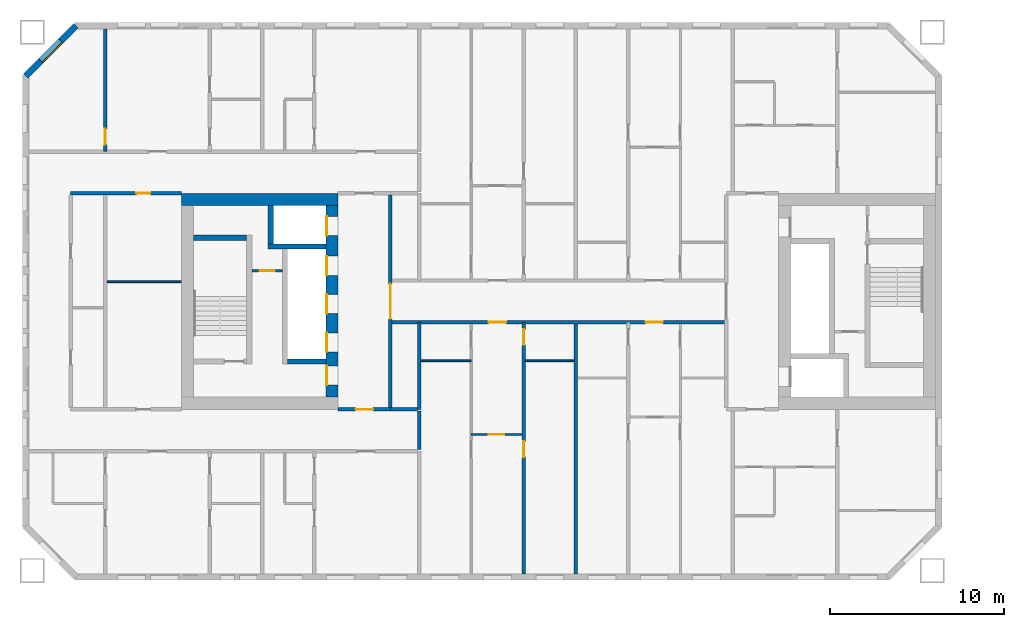
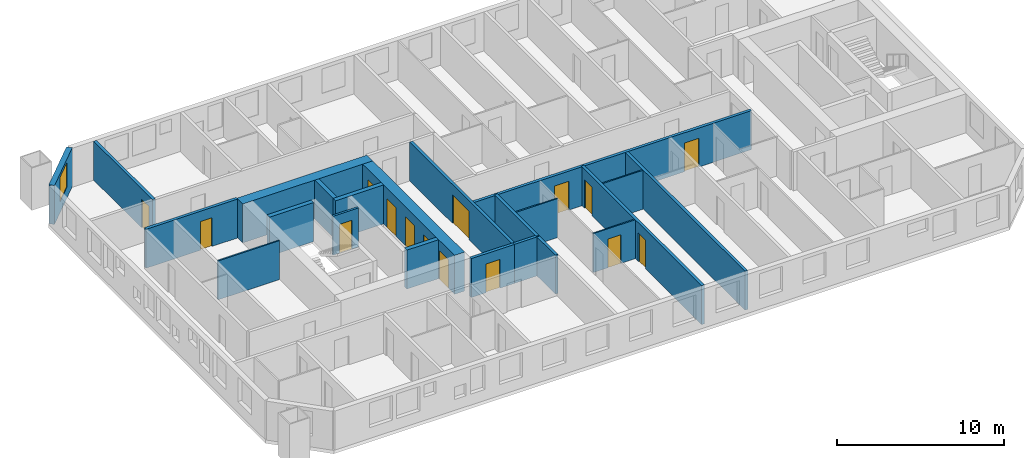
# One storey, part 4 of 17: 22 walls, 15 doors, 1 window, 16 openings.
"""IFC4 building model written with IfcOpenShell, lengths in metres."""

from ifc_helpers import new_model, si_unit, direction, frame, frame_2d, origin, place, context, subcontext, project, spatial, rectangle, extrude, material, layer, layer_set, type_object, element, fill, save


model = new_model("IFC4")

# Units and contexts
model_context = context("Model", 3, precision=1e-05, world=origin(), true_north=direction((0.0, 1.0)))
body_context = subcontext(model_context, "Body", "Model", "MODEL_VIEW")
ifc_project = project(units=[si_unit("LENGTHUNIT", "METRE"), si_unit("AREAUNIT", "SQUARE_METRE"), si_unit("VOLUMEUNIT", "CUBIC_METRE"), si_unit("PLANEANGLEUNIT", "RADIAN"), si_unit("MASSUNIT", "GRAM", prefix="KILO")], contexts=[model_context])

# Site, building, storey
site_placement = place(None, origin())
site = spatial("IfcSite", under=ifc_project, at=site_placement, CompositionType="ELEMENT")
building_placement = place(site_placement, origin())
building = spatial("IfcBuilding", under=site, at=building_placement, Name="Tuart Gate Housing", CompositionType="ELEMENT")
storey_placement = place(building_placement, frame((0.0, 0.0, 74.699951171875)))
storey = spatial("IfcBuildingStorey", under=building, at=storey_placement, Name="L20", CompositionType="ELEMENT", Elevation=74.699951171875)

# Wall, opening, window
ifc_material_1 = material(Name="Brick", Category="masonry")
ifc_layer_1 = layer(ifc_material_1, 0.360107421875)
ifc_layer_set_1 = layer_set([ifc_layer_1], Name="Brick pier and spandrel wall 360")
wall_type_1 = type_object("IfcWallType", Name="Brick pier and spandrel wall 360", PredefinedType="STANDARD", material=ifc_layer_set_1)
wall_1_placement = place(storey_placement, frame((26.32470703125, 85.820068359375, 0.0), z_axis=(0.0, 0.0, 1.0), x_axis=(-0.707106781187, -0.707106781187, 0.0)))
wall_1 = element("IfcWall", 1, at=wall_1_placement, inside=storey, type_object=wall_type_1, Name="External wall A-NW L20", PredefinedType="STANDARD", context=body_context, shape_type="SweptSolid", body=[
    extrude(rectangle(XDim=4.09375, YDim=0.360107421875, at=frame_2d((2.046875, 0.0))), origin(), (0.0, 0.0, 1.0), 2.85009765625),
])
opening_1_placement = place(wall_1_placement, frame((1.2470703125, 0.0, 0.800048828125)))
opening_1 = element("IfcOpeningElement", 2, at=opening_1_placement, cuts=wall_1, Name="Opening W1", PredefinedType="OPENING", context=body_context, shape_type="SweptSolid", body=[
    extrude(rectangle(XDim=1.60009765625, YDim=1.800048828125, at=frame_2d((0.800048828125, 0.89990234375))), frame((0.0, 0.18994140625, 0.0), z_axis=(0.0, -1.0, 0.0), x_axis=(1.0, 0.0, 0.0)), (0.0, 0.0, 1.0), 0.380126953125),
])
ifc_material_2 = material(Name="Aluminium frame with clear glass", Category="aluminium")
window_type = type_object("IfcWindowType", Name="Punched window 1600 x 1800", PartitioningType="SINGLE_PANEL", PredefinedType="WINDOW", material=ifc_material_2)
window_placement = place(opening_1_placement, origin())
window = element("IfcWindow", 3, at=window_placement, inside=storey, type_object=window_type, Name="Window W1", OverallHeight=1.800048828125, OverallWidth=1.60009765625, PartitioningType="SINGLE_PANEL", PredefinedType="WINDOW", context=body_context, shape_type="SweptSolid", body=[
    extrude(rectangle(XDim=1.60009765625, YDim=1.800048828125, at=frame_2d((0.800048828125, 0.89990234375))), frame((0.0, 0.150146484375, 0.0), z_axis=(0.0, -1.0, 0.0), x_axis=(1.0, 0.0, 0.0)), (0.0, 0.0, 1.0), 0.06005859375),
])
fill(opening_1, window)

# Wall, opening, door
ifc_material_3 = material(Name="Plasterboard partition")
ifc_layer_2 = layer(ifc_material_3, 0.14990234375)
ifc_layer_set_2 = layer_set([ifc_layer_2], Name="Core partition 150")
wall_type_2 = type_object("IfcWallType", Name="Core partition 150", PredefinedType="PARTITIONING", material=ifc_layer_set_2)
wall_2_placement = place(storey_placement, frame((38.159912109375, 71.75, 0.0), z_axis=(0.0, 0.0, 1.0), x_axis=(-1.0, 0.0, 0.0)))
wall_2 = element("IfcWall", 4, at=wall_2_placement, inside=storey, type_object=wall_type_2, Name="Core partition AK.3", PredefinedType="PARTITIONING", context=body_context, shape_type="SweptSolid", body=[
    extrude(rectangle(XDim=1.75, YDim=0.14990234375, at=frame_2d((0.875, 0.0))), origin(), (0.0, 0.0, 1.0), 2.85009765625),
])
opening_2_placement = place(wall_2_placement, frame((0.449951171875, 0.0, 0.0)))
opening_2 = element("IfcOpeningElement", 5, at=opening_2_placement, cuts=wall_2, Name="Opening D858", PredefinedType="OPENING", context=body_context, shape_type="SweptSolid", body=[
    extrude(rectangle(XDim=0.85009765625, YDim=2.10009765625, at=frame_2d((0.425048828125, 1.050048828125))), frame((0.0, 0.0849609375, 0.0), z_axis=(0.0, -1.0, 0.0), x_axis=(1.0, 0.0, 0.0)), (0.0, 0.0, 1.0), 0.169921875),
])
ifc_material_4 = material(Name="Steel fire door", Category="steel")
door_type_1 = type_object("IfcDoorType", Name="Riser door 850 x 2100 RH", OperationType="SINGLE_SWING_RIGHT", PredefinedType="DOOR", material=ifc_material_4)
door_1_placement = place(opening_2_placement, frame((0.85009765625, 0.0, 0.0), z_axis=(0.0, 0.0, 1.0), x_axis=(-1.0, 0.0, 0.0)))
door_1 = element("IfcDoor", 6, at=door_1_placement, inside=storey, type_object=door_type_1, Name="Service room door AK.E1", OperationType="SINGLE_SWING_RIGHT", OverallHeight=2.10009765625, OverallWidth=0.85009765625, PredefinedType="DOOR", context=body_context, shape_type="SweptSolid", body=[
    extrude(rectangle(XDim=0.85009765625, YDim=2.10009765625, at=frame_2d((0.425048828125, 1.050048828125))), frame((0.0, 0.025146484375, 0.0), z_axis=(0.0, -1.0, 0.0), x_axis=(1.0, 0.0, 0.0)), (0.0, 0.0, 1.0), 0.050048828125),
])
fill(opening_2, door_1)

# Walls
ifc_material_5 = material(Name="Concrete C50", Category="concrete")
ifc_layer_3 = layer(ifc_material_5, 0.300048828125)
ifc_layer_set_3 = layer_set([ifc_layer_3], Name="Core wall 300 C50")
wall_type_3 = type_object("IfcWallType", Name="Core wall 300 C50", PredefinedType="SHEAR", material=ifc_layer_set_3)
wall_3_placement = place(storey_placement, frame((36.110107421875, 73.64990234375, 0.0), z_axis=(0.0, 0.0, 1.0), x_axis=(-1.0, 0.0, 0.0)))
element("IfcWall", 7, at=wall_3_placement, inside=storey, type_object=wall_type_3, Name="Core wall AK.1", PredefinedType="SHEAR", context=body_context, shape_type="SweptSolid", body=[
    extrude(rectangle(XDim=3.050048828125, YDim=0.300048828125, at=frame_2d((1.52490234375, 0.0))), origin(), (0.0, 0.0, 1.0), 2.85009765625),
])
wall_4_placement = place(storey_placement, frame((40.659912109375, 73.14990234375, 0.0), z_axis=(0.0, 0.0, 1.0), x_axis=(-1.0, 0.0, 0.0)))
element("IfcWall", 8, at=wall_4_placement, inside=storey, type_object=wall_type_3, Name="Core wall AK.2", PredefinedType="SHEAR", context=body_context, shape_type="SweptSolid", body=[
    extrude(rectangle(XDim=3.31982421875, YDim=0.300048828125, at=frame_2d((1.659912109375, 0.0))), origin(), (0.0, 0.0, 1.0), 2.85009765625),
])
for number, where, z_axis, x_axis, name in (
    (9, (40.659912109375, 66.550048828125, 0.0), (0.0, 0.0, 1.0), (-1.0, 0.0, 0.0), "Core wall AK.4"),
    (10, (37.489990234375, 75.5, 0.0), (0.0, 0.0, 1.0), (0.0, -1.0, 0.0), "Core wall AK.7"),
):
    element("IfcWall", number, at=place(storey_placement, frame(where, z_axis=z_axis, x_axis=x_axis)), inside=storey, type_object=wall_type_3, Name=name, PredefinedType="SHEAR", context=body_context, shape_type="SweptSolid", body=[
        extrude(rectangle(XDim=2.199951171875, YDim=0.300048828125, at=frame_2d((1.10009765625, 0.0))), origin(), (0.0, 0.0, 1.0), 2.85009765625),
    ])

# Wall, openings, doors
ifc_material_6 = material(Name="Concrete C50", Category="concrete")
ifc_layer_4 = layer(ifc_material_6, 0.699951171875)
ifc_layer_set_4 = layer_set([ifc_layer_4], Name="Core wall 700 C50")
wall_type_4 = type_object("IfcWallType", Name="Core wall 700 C50", PredefinedType="SHEAR", material=ifc_layer_set_4)
wall_5_placement = place(storey_placement, frame((41.010009765625, 75.5, 0.0), z_axis=(0.0, 0.0, 1.0), x_axis=(0.0, -1.0, 0.0)))
wall_5 = element("IfcWall", 11, at=wall_5_placement, inside=storey, type_object=wall_type_4, Name="Core wall AK front", PredefinedType="SHEAR", context=body_context, shape_type="SweptSolid", body=[
    extrude(rectangle(XDim=11.0, YDim=0.699951171875, at=frame_2d((5.5, 0.0))), origin(), (0.0, 0.0, 1.0), 2.85009765625),
])
opening_3_placement = place(wall_5_placement, frame((0.625, 0.0, 0.0)))
opening_3 = element("IfcOpeningElement", 12, at=opening_3_placement, cuts=wall_5, Name="Opening LD-FA2", PredefinedType="OPENING", context=body_context, shape_type="SweptSolid", body=[
    extrude(rectangle(XDim=1.10009765625, YDim=2.10009765625, at=frame_2d((0.550048828125, 1.050048828125))), frame((0.0, 0.35986328125, 0.0), z_axis=(0.0, -1.0, 0.0), x_axis=(1.0, 0.0, 0.0)), (0.0, 0.0, 1.0), 0.719970703125),
])
opening_4_placement = place(wall_5_placement, frame((2.89990234375, 0.0, 0.0)))
opening_4 = element("IfcOpeningElement", 13, at=opening_4_placement, cuts=wall_5, Name="Opening LD-LA4", PredefinedType="OPENING", context=body_context, shape_type="SweptSolid", body=[
    extrude(rectangle(XDim=1.10009765625, YDim=2.10009765625, at=frame_2d((0.550048828125, 1.050048828125))), frame((0.0, 0.35986328125, 0.0), z_axis=(0.0, -1.0, 0.0), x_axis=(1.0, 0.0, 0.0)), (0.0, 0.0, 1.0), 0.719970703125),
])
opening_5_placement = place(wall_5_placement, frame((5.10009765625, 0.0, 0.0)))
opening_5 = element("IfcOpeningElement", 14, at=opening_5_placement, cuts=wall_5, Name="Opening LD-LA5", PredefinedType="OPENING", context=body_context, shape_type="SweptSolid", body=[
    extrude(rectangle(XDim=1.10009765625, YDim=2.10009765625, at=frame_2d((0.550048828125, 1.050048828125))), frame((0.0, 0.35986328125, 0.0), z_axis=(0.0, -1.0, 0.0), x_axis=(1.0, 0.0, 0.0)), (0.0, 0.0, 1.0), 0.719970703125),
])
opening_6_placement = place(wall_5_placement, frame((7.300048828125, 0.0, 0.0)))
opening_6 = element("IfcOpeningElement", 15, at=opening_6_placement, cuts=wall_5, Name="Opening LD-LA6", PredefinedType="OPENING", context=body_context, shape_type="SweptSolid", body=[
    extrude(rectangle(XDim=1.10009765625, YDim=2.10009765625, at=frame_2d((0.550048828125, 1.050048828125))), frame((0.0, 0.35986328125, 0.0), z_axis=(0.0, -1.0, 0.0), x_axis=(1.0, 0.0, 0.0)), (0.0, 0.0, 1.0), 0.719970703125),
])
opening_7_placement = place(wall_5_placement, frame((9.199951171875, 0.0, 0.0)))
opening_7 = element("IfcOpeningElement", 16, at=opening_7_placement, cuts=wall_5, Name="Opening D863", PredefinedType="OPENING", context=body_context, shape_type="SweptSolid", body=[
    extrude(rectangle(XDim=1.10009765625, YDim=2.10009765625, at=frame_2d((0.550048828125, 1.050048828125))), frame((0.0, 0.35986328125, 0.0), z_axis=(0.0, -1.0, 0.0), x_axis=(1.0, 0.0, 0.0)), (0.0, 0.0, 1.0), 0.719970703125),
])
ifc_material_7 = material(Name="Stainless steel", Category="steel")
door_type_2 = type_object("IfcDoorType", Name="Landing door 1100 x 2100", OperationType="DOUBLE_DOOR_SLIDING", PredefinedType="DOOR", material=ifc_material_7)
door_2_placement = place(opening_3_placement, origin())
door_2 = element("IfcDoor", 17, at=door_2_placement, inside=storey, type_object=door_type_2, Name="Lift landing door FA2", OperationType="DOUBLE_DOOR_SLIDING", OverallHeight=2.10009765625, OverallWidth=1.10009765625, PredefinedType="DOOR", context=body_context, shape_type="SweptSolid", body=[
    extrude(rectangle(XDim=1.10009765625, YDim=2.10009765625, at=frame_2d((0.550048828125, 1.050048828125))), frame((0.0, -0.28515625, 0.0), z_axis=(0.0, -1.0, 0.0), x_axis=(1.0, 0.0, 0.0)), (0.0, 0.0, 1.0), 0.050048828125),
])
fill(opening_3, door_2)
door_3_placement = place(opening_4_placement, origin())
door_3 = element("IfcDoor", 18, at=door_3_placement, inside=storey, type_object=door_type_2, Name="Lift landing door LA4", OperationType="DOUBLE_DOOR_SLIDING", OverallHeight=2.10009765625, OverallWidth=1.10009765625, PredefinedType="DOOR", context=body_context, shape_type="SweptSolid", body=[
    extrude(rectangle(XDim=1.10009765625, YDim=2.10009765625, at=frame_2d((0.550048828125, 1.050048828125))), frame((0.0, -0.28515625, 0.0), z_axis=(0.0, -1.0, 0.0), x_axis=(1.0, 0.0, 0.0)), (0.0, 0.0, 1.0), 0.050048828125),
])
fill(opening_4, door_3)
door_4_placement = place(opening_5_placement, origin())
door_4 = element("IfcDoor", 19, at=door_4_placement, inside=storey, type_object=door_type_2, Name="Lift landing door LA5", OperationType="DOUBLE_DOOR_SLIDING", OverallHeight=2.10009765625, OverallWidth=1.10009765625, PredefinedType="DOOR", context=body_context, shape_type="SweptSolid", body=[
    extrude(rectangle(XDim=1.10009765625, YDim=2.10009765625, at=frame_2d((0.550048828125, 1.050048828125))), frame((0.0, -0.28515625, 0.0), z_axis=(0.0, -1.0, 0.0), x_axis=(1.0, 0.0, 0.0)), (0.0, 0.0, 1.0), 0.050048828125),
])
fill(opening_5, door_4)
door_5_placement = place(opening_6_placement, origin())
door_5 = element("IfcDoor", 20, at=door_5_placement, inside=storey, type_object=door_type_2, Name="Lift landing door LA6", OperationType="DOUBLE_DOOR_SLIDING", OverallHeight=2.10009765625, OverallWidth=1.10009765625, PredefinedType="DOOR", context=body_context, shape_type="SweptSolid", body=[
    extrude(rectangle(XDim=1.10009765625, YDim=2.10009765625, at=frame_2d((0.550048828125, 1.050048828125))), frame((0.0, -0.28515625, 0.0), z_axis=(0.0, -1.0, 0.0), x_axis=(1.0, 0.0, 0.0)), (0.0, 0.0, 1.0), 0.050048828125),
])
fill(opening_6, door_5)
ifc_material_8 = material(Name="Steel fire door", Category="steel")
door_type_3 = type_object("IfcDoorType", Name="Lobby door 1100 x 2100 RH", OperationType="SINGLE_SWING_RIGHT", PredefinedType="DOOR", material=ifc_material_8)
door_6_placement = place(opening_7_placement, frame((1.10009765625, 0.0, 0.0), z_axis=(0.0, 0.0, 1.0), x_axis=(-1.0, 0.0, 0.0)))
door_6 = element("IfcDoor", 21, at=door_6_placement, inside=storey, type_object=door_type_3, Name="Lobby entry door AK.EN", OperationType="SINGLE_SWING_RIGHT", OverallHeight=2.10009765625, OverallWidth=1.10009765625, PredefinedType="DOOR", context=body_context, shape_type="SweptSolid", body=[
    extrude(rectangle(XDim=1.10009765625, YDim=2.10009765625, at=frame_2d((0.550048828125, 1.050048828125))), frame((0.0, 0.335205078125, 0.0), z_axis=(0.0, -1.0, 0.0), x_axis=(1.0, 0.0, 0.0)), (0.0, 0.0, 1.0), 0.050048828125),
])
fill(opening_7, door_6)

# Walls
wall_6_placement = place(storey_placement, frame((41.360107421875, 75.85009765625, 0.0), z_axis=(0.0, 0.0, 1.0), x_axis=(-1.0, 0.0, 0.0)))
element("IfcWall", 22, at=wall_6_placement, inside=storey, type_object=wall_type_4, Name="Core wall AK south", PredefinedType="SHEAR", context=body_context, shape_type="SweptSolid", body=[
    extrude(rectangle(XDim=9.0, YDim=0.699951171875, at=frame_2d((4.5, 0.0))), origin(), (0.0, 0.0, 1.0), 2.85009765625),
])
ifc_material_9 = material(Name="Concrete masonry 15 MPa", Category="masonry")
ifc_layer_5 = layer(ifc_material_9, 0.199951171875)
ifc_layer_set_5 = layer_set([ifc_layer_5], Name="Corridor wall masonry 200")
wall_type_5 = type_object("IfcWallType", Name="Corridor wall masonry 200", PredefinedType="PARTITIONING", material=ifc_layer_set_5)
wall_7_placement = place(storey_placement, frame((44.360107421875, 63.800048828125, 0.0), z_axis=(0.0, 0.0, 1.0), x_axis=(1.0, 0.0, 0.0)))
element("IfcWall", 23, at=wall_7_placement, inside=storey, type_object=wall_type_5, Name="Corridor wall masonry 200", PredefinedType="PARTITIONING", context=body_context, shape_type="SweptSolid", body=[
    extrude(rectangle(XDim=1.539794921875, YDim=0.199951171875, at=frame_2d((0.77001953125, 0.0))), origin(), (0.0, 0.0, 1.0), 2.85009765625),
])

# Wall, openings, doors
wall_8_placement = place(storey_placement, frame((44.360107421875, 68.800048828125, 0.0), z_axis=(0.0, 0.0, 1.0), x_axis=(1.0, 0.0, 0.0)))
wall_8 = element("IfcWall", 24, at=wall_8_placement, inside=storey, type_object=wall_type_5, Name="Corridor wall masonry 200", PredefinedType="PARTITIONING", context=body_context, shape_type="SweptSolid", body=[
    extrude(rectangle(XDim=19.27978515625, YDim=0.199951171875, at=frame_2d((9.639892578125, 0.0))), origin(), (0.0, 0.0, 1.0), 2.85009765625),
])
opening_8_placement = place(wall_8_placement, frame((14.639892578125, 0.0, 0.0)))
opening_8 = element("IfcOpeningElement", 25, at=opening_8_placement, cuts=wall_8, Name="Opening D868", PredefinedType="OPENING", context=body_context, shape_type="SweptSolid", body=[
    extrude(rectangle(XDim=1.0, YDim=2.10009765625, at=frame_2d((0.5, 1.050048828125))), frame((0.0, 0.10986328125, 0.0), z_axis=(0.0, -1.0, 0.0), x_axis=(1.0, 0.0, 0.0)), (0.0, 0.0, 1.0), 0.219970703125),
])
opening_9_placement = place(wall_8_placement, frame((5.639892578125, 0.0, 0.0)))
opening_9 = element("IfcOpeningElement", 26, at=opening_9_placement, cuts=wall_8, Name="Opening D869", PredefinedType="OPENING", context=body_context, shape_type="SweptSolid", body=[
    extrude(rectangle(XDim=1.0, YDim=2.10009765625, at=frame_2d((0.5, 1.050048828125))), frame((0.0, 0.10986328125, 0.0), z_axis=(0.0, -1.0, 0.0), x_axis=(1.0, 0.0, 0.0)), (0.0, 0.0, 1.0), 0.219970703125),
])
ifc_material_10 = material(Name="Timber door leaf in steel frame", Category="steel")
door_type_4 = type_object("IfcDoorType", Name="Flat entrance door 1000 RH", OperationType="SINGLE_SWING_RIGHT", PredefinedType="DOOR", material=ifc_material_10)
door_7_placement = place(opening_8_placement, frame((1.0, 0.0, 0.0), z_axis=(0.0, 0.0, 1.0), x_axis=(-1.0, 0.0, 0.0)))
door_7 = element("IfcDoor", 27, at=door_7_placement, inside=storey, type_object=door_type_4, Name="Flat entrance door", OperationType="SINGLE_SWING_RIGHT", OverallHeight=2.10009765625, OverallWidth=1.0, PredefinedType="DOOR", context=body_context, shape_type="SweptSolid", body=[
    extrude(rectangle(XDim=1.0, YDim=2.10009765625, at=frame_2d((0.5, 1.050048828125))), frame((0.0, 0.025146484375, 0.0), z_axis=(0.0, -1.0, 0.0), x_axis=(1.0, 0.0, 0.0)), (0.0, 0.0, 1.0), 0.050048828125),
])
fill(opening_8, door_7)
door_8_placement = place(opening_9_placement, frame((1.0, 0.0, 0.0), z_axis=(0.0, 0.0, 1.0), x_axis=(-1.0, 0.0, 0.0)))
door_8 = element("IfcDoor", 28, at=door_8_placement, inside=storey, type_object=door_type_4, Name="Flat entrance door", OperationType="SINGLE_SWING_RIGHT", OverallHeight=2.10009765625, OverallWidth=1.0, PredefinedType="DOOR", context=body_context, shape_type="SweptSolid", body=[
    extrude(rectangle(XDim=1.0, YDim=2.10009765625, at=frame_2d((0.5, 1.050048828125))), frame((0.0, 0.025146484375, 0.0), z_axis=(0.0, -1.0, 0.0), x_axis=(1.0, 0.0, 0.0)), (0.0, 0.0, 1.0), 0.050048828125),
])
fill(opening_9, door_8)

# Wall, opening, door
wall_9_placement = place(storey_placement, frame((26.010009765625, 76.199951171875, 0.0), z_axis=(0.0, 0.0, 1.0), x_axis=(1.0, 0.0, 0.0)))
wall_9 = element("IfcWall", 29, at=wall_9_placement, inside=storey, type_object=wall_type_5, Name="Corridor wall masonry 200", PredefinedType="PARTITIONING", context=body_context, shape_type="SweptSolid", body=[
    extrude(rectangle(XDim=6.35009765625, YDim=0.199951171875, at=frame_2d((3.175048828125, 0.0))), origin(), (0.0, 0.0, 1.0), 2.85009765625),
])
opening_10_placement = place(wall_9_placement, frame((3.77001953125, 0.0, 0.0)))
opening_10 = element("IfcOpeningElement", 30, at=opening_10_placement, cuts=wall_9, Name="Opening D854", PredefinedType="OPENING", context=body_context, shape_type="SweptSolid", body=[
    extrude(rectangle(XDim=0.800048828125, YDim=2.10009765625, at=frame_2d((0.39990234375, 1.050048828125))), frame((0.0, 0.10986328125, 0.0), z_axis=(0.0, -1.0, 0.0), x_axis=(1.0, 0.0, 0.0)), (0.0, 0.0, 1.0), 0.219970703125),
])
ifc_material_11 = material(Name="Timber door leaf in steel frame", Category="steel")
door_type_5 = type_object("IfcDoorType", Name="Store door 800 RH", OperationType="SINGLE_SWING_RIGHT", PredefinedType="DOOR", material=ifc_material_11)
door_9_placement = place(opening_10_placement, frame((0.800048828125, 0.0, 0.0), z_axis=(0.0, 0.0, 1.0), x_axis=(-1.0, 0.0, 0.0)))
door_9 = element("IfcDoor", 31, at=door_9_placement, inside=storey, type_object=door_type_5, Name="Store door", OperationType="SINGLE_SWING_RIGHT", OverallHeight=2.10009765625, OverallWidth=0.800048828125, PredefinedType="DOOR", context=body_context, shape_type="SweptSolid", body=[
    extrude(rectangle(XDim=0.800048828125, YDim=2.10009765625, at=frame_2d((0.400146484375, 1.050048828125))), frame((0.0, 0.025146484375, 0.0), z_axis=(0.0, -1.0, 0.0), x_axis=(1.0, 0.0, 0.0)), (0.0, 0.0, 1.0), 0.050048828125),
])
fill(opening_10, door_9)

# Wall
wall_10_placement = place(storey_placement, frame((46.0, 61.5, 0.0), z_axis=(0.0, 0.0, 1.0), x_axis=(0.0, 1.0, 0.0)))
element("IfcWall", 32, at=wall_10_placement, inside=storey, type_object=wall_type_5, Name="Corridor wall masonry 200", PredefinedType="PARTITIONING", context=body_context, shape_type="SweptSolid", body=[
    extrude(rectangle(XDim=2.199951171875, YDim=0.199951171875, at=frame_2d((1.10009765625, 0.0))), origin(), (0.0, 0.0, 1.0), 2.85009765625),
])

# Wall, opening, door
ifc_material_12 = material(Name="Concrete masonry 15 MPa", Category="masonry")
ifc_layer_6 = layer(ifc_material_12, 0.199951171875)
ifc_layer_set_6 = layer_set([ifc_layer_6], Name="Enclosure wall masonry 200")
wall_type_6 = type_object("IfcWallType", Name="Enclosure wall masonry 200", PredefinedType="PARTITIONING", material=ifc_layer_set_6)
wall_11_placement = place(storey_placement, frame((41.360107421875, 63.800048828125, 0.0), z_axis=(0.0, 0.0, 1.0), x_axis=(1.0, 0.0, 0.0)))
wall_11 = element("IfcWall", 33, at=wall_11_placement, inside=storey, type_object=wall_type_6, Name="Enclosure wall masonry 200", PredefinedType="PARTITIONING", context=body_context, shape_type="SweptSolid", body=[
    extrude(rectangle(XDim=3.0, YDim=0.199951171875, at=frame_2d((1.5, 0.0))), origin(), (0.0, 0.0, 1.0), 2.85009765625),
])
opening_11_placement = place(wall_11_placement, frame((1.0, 0.0, 0.0)))
opening_11 = element("IfcOpeningElement", 34, at=opening_11_placement, cuts=wall_11, Name="Opening D873", PredefinedType="OPENING", context=body_context, shape_type="SweptSolid", body=[
    extrude(rectangle(XDim=1.0, YDim=2.10009765625, at=frame_2d((0.5, 1.050048828125))), frame((0.0, 0.10986328125, 0.0), z_axis=(0.0, -1.0, 0.0), x_axis=(1.0, 0.0, 0.0)), (0.0, 0.0, 1.0), 0.219970703125),
])
ifc_material_13 = material(Name="Timber door leaf in steel frame", Category="steel")
door_type_6 = type_object("IfcDoorType", Name="Fire door 1000", OperationType="SINGLE_SWING_LEFT", PredefinedType="DOOR", material=ifc_material_13)
door_10_placement = place(opening_11_placement, frame((1.0, 0.0, 0.0), z_axis=(0.0, 0.0, 1.0), x_axis=(-1.0, 0.0, 0.0)))
door_10 = element("IfcDoor", 35, at=door_10_placement, inside=storey, type_object=door_type_6, Name="Fire door", OperationType="SINGLE_SWING_LEFT", OverallHeight=2.10009765625, OverallWidth=1.0, PredefinedType="DOOR", context=body_context, shape_type="SweptSolid", body=[
    extrude(rectangle(XDim=1.0, YDim=2.10009765625, at=frame_2d((0.5, 1.050048828125))), frame((0.0, 0.025146484375, 0.0), z_axis=(0.0, -1.0, 0.0), x_axis=(1.0, 0.0, 0.0)), (0.0, 0.0, 1.0), 0.050048828125),
])
fill(opening_11, door_10)

ifc_material_14 = material(Name="Plasterboard partition")
ifc_layer_7 = layer(ifc_material_14, 0.199951171875)
ifc_layer_set_7 = layer_set([ifc_layer_7], Name="Lobby wall 200")
wall_type_7 = type_object("IfcWallType", Name="Lobby wall 200", PredefinedType="PARTITIONING", material=ifc_layer_set_7)
wall_12_placement = place(storey_placement, frame((44.360107421875, 63.89990234375, 0.0), z_axis=(0.0, 0.0, 1.0), x_axis=(0.0, 1.0, 0.0)))
wall_12 = element("IfcWall", 36, at=wall_12_placement, inside=storey, type_object=wall_type_7, Name="Lift lobby wall AK", PredefinedType="PARTITIONING", context=body_context, shape_type="SweptSolid", body=[
    extrude(rectangle(XDim=12.2001953125, YDim=0.199951171875, at=frame_2d((6.10009765625, 0.0))), origin(), (0.0, 0.0, 1.0), 2.85009765625),
])
opening_12_placement = place(wall_12_placement, frame((5.10009765625, 0.0, 0.0)))
opening_12 = element("IfcOpeningElement", 37, at=opening_12_placement, cuts=wall_12, Name="Opening D864", PredefinedType="OPENING", context=body_context, shape_type="SweptSolid", body=[
    extrude(rectangle(XDim=2.0, YDim=2.10009765625, at=frame_2d((1.0, 1.050048828125))), frame((0.0, 0.10986328125, 0.0), z_axis=(0.0, -1.0, 0.0), x_axis=(1.0, 0.0, 0.0)), (0.0, 0.0, 1.0), 0.219970703125),
])
ifc_material_15 = material(Name="Steel fire door", Category="steel")
door_type_7 = type_object("IfcDoorType", Name="Smoke door 2000 x 2100", OperationType="DOUBLE_DOOR_SINGLE_SWING", PredefinedType="DOOR", material=ifc_material_15)
door_11_placement = place(opening_12_placement, origin())
door_11 = element("IfcDoor", 38, at=door_11_placement, inside=storey, type_object=door_type_7, Name="Lift lobby smoke door AK", OperationType="DOUBLE_DOOR_SINGLE_SWING", OverallHeight=2.10009765625, OverallWidth=2.0, PredefinedType="DOOR", context=body_context, shape_type="SweptSolid", body=[
    extrude(rectangle(XDim=2.0, YDim=2.10009765625, at=frame_2d((1.0, 1.050048828125))), frame((0.0, 0.02490234375, 0.0), z_axis=(0.0, -1.0, 0.0), x_axis=(1.0, 0.0, 0.0)), (0.0, 0.0, 1.0), 0.050048828125),
])
fill(opening_12, door_11)

ifc_material_16 = material(Name="Gypsum board on steel studs", Category="steel")
ifc_layer_8 = layer(ifc_material_16, 0.10009765625)
ifc_layer_set_8 = layer_set([ifc_layer_8], Name="Partition 100")
wall_type_8 = type_object("IfcWallType", Name="Partition 100", PredefinedType="PARTITIONING", material=ifc_layer_set_8)
wall_13_placement = place(storey_placement, frame((49.0, 62.360107421875, 0.0), z_axis=(0.0, 0.0, 1.0), x_axis=(1.0, 0.0, 0.0)))
wall_13 = element("IfcWall", 39, at=wall_13_placement, inside=storey, type_object=wall_type_8, Name="Partition 100", PredefinedType="PARTITIONING", context=body_context, shape_type="SweptSolid", body=[
    extrude(rectangle(XDim=2.89990234375, YDim=0.10009765625, at=frame_2d((1.449951171875, 0.0))), origin(), (0.0, 0.0, 1.0), 2.85009765625),
])
opening_13_placement = place(wall_13_placement, frame((1.0, 0.0, 0.0)))
opening_13 = element("IfcOpeningElement", 40, at=opening_13_placement, cuts=wall_13, Name="Opening D876", PredefinedType="OPENING", context=body_context, shape_type="SweptSolid", body=[
    extrude(rectangle(XDim=0.89990234375, YDim=2.10009765625, at=frame_2d((0.449951171875, 1.050048828125))), frame((0.0, 0.06005859375, 0.0), z_axis=(0.0, -1.0, 0.0), x_axis=(1.0, 0.0, 0.0)), (0.0, 0.0, 1.0), 0.1201171875),
])
ifc_material_17 = material(Name="Timber door leaf in steel frame", Category="steel")
door_type_8 = type_object("IfcDoorType", Name="Internal door 900", OperationType="SINGLE_SWING_LEFT", PredefinedType="DOOR", material=ifc_material_17)
door_12_placement = place(opening_13_placement, origin())
door_12 = element("IfcDoor", 41, at=door_12_placement, inside=storey, type_object=door_type_8, Name="Internal door", OperationType="SINGLE_SWING_LEFT", OverallHeight=2.10009765625, OverallWidth=0.89990234375, PredefinedType="DOOR", context=body_context, shape_type="SweptSolid", body=[
    extrude(rectangle(XDim=0.89990234375, YDim=2.10009765625, at=frame_2d((0.449951171875, 1.050048828125))), frame((0.0, 0.02490234375, 0.0), z_axis=(0.0, -1.0, 0.0), x_axis=(1.0, 0.0, 0.0)), (0.0, 0.0, 1.0), 0.050048828125),
])
fill(opening_13, door_12)

# Walls
wall_14_placement = place(storey_placement, frame((46.10009765625, 66.60009765625, 0.0), z_axis=(0.0, 0.0, 1.0), x_axis=(1.0, 0.0, 0.0)))
element("IfcWall", 42, at=wall_14_placement, inside=storey, type_object=wall_type_8, Name="Partition 100", PredefinedType="PARTITIONING", context=body_context, shape_type="SweptSolid", body=[
    extrude(rectangle(XDim=2.89990234375, YDim=0.10009765625, at=frame_2d((1.449951171875, 0.0))), origin(), (0.0, 0.0, 1.0), 2.85009765625),
])
wall_15_placement = place(storey_placement, frame((52.10009765625, 66.60009765625, 0.0), z_axis=(0.0, 0.0, 1.0), x_axis=(1.0, 0.0, 0.0)))
element("IfcWall", 43, at=wall_15_placement, inside=storey, type_object=wall_type_8, Name="Partition 100", PredefinedType="PARTITIONING", context=body_context, shape_type="SweptSolid", body=[
    extrude(rectangle(XDim=2.7998046875, YDim=0.10009765625, at=frame_2d((1.39990234375, 0.0))), origin(), (0.0, 0.0, 1.0), 2.85009765625),
])
wall_16_placement = place(storey_placement, frame((28.10009765625, 71.1298828125, 0.0), z_axis=(0.0, 0.0, 1.0), x_axis=(1.0, 0.0, 0.0)))
element("IfcWall", 44, at=wall_16_placement, inside=storey, type_object=wall_type_8, Name="Partition 100", PredefinedType="PARTITIONING", context=body_context, shape_type="SweptSolid", body=[
    extrude(rectangle(XDim=4.260009765625, YDim=0.10009765625, at=frame_2d((2.1298828125, 0.0))), origin(), (0.0, 0.0, 1.0), 2.85009765625),
])

# Wall, opening, door
ifc_material_18 = material(Name="Concrete C40", Category="concrete")
ifc_layer_9 = layer(ifc_material_18, 0.199951171875)
ifc_layer_set_9 = layer_set([ifc_layer_9], Name="Party wall concrete C40 200")
wall_type_9 = type_object("IfcWallType", Name="Party wall concrete C40 200", PredefinedType="SOLIDWALL", material=ifc_layer_set_9)
wall_17_placement = place(storey_placement, frame((28.0, 78.60009765625, 0.0), z_axis=(0.0, 0.0, 1.0), x_axis=(0.0, 1.0, 0.0)))
wall_17 = element("IfcWall", 45, at=wall_17_placement, inside=storey, type_object=wall_type_9, Name="Party wall concrete C40 200", PredefinedType="SOLIDWALL", context=body_context, shape_type="SweptSolid", body=[
    extrude(rectangle(XDim=7.039794921875, YDim=0.199951171875, at=frame_2d((3.52001953125, 0.0))), origin(), (0.0, 0.0, 1.0), 2.85009765625),
])
opening_14_placement = place(wall_17_placement, frame((0.39990234375, 0.0, 0.0)))
opening_14 = element("IfcOpeningElement", 46, at=opening_14_placement, cuts=wall_17, Name="Opening D833", PredefinedType="OPENING", context=body_context, shape_type="SweptSolid", body=[
    extrude(rectangle(XDim=0.89990234375, YDim=2.10009765625, at=frame_2d((0.449951171875, 1.050048828125))), frame((0.0, 0.10986328125, 0.0), z_axis=(0.0, -1.0, 0.0), x_axis=(1.0, 0.0, 0.0)), (0.0, 0.0, 1.0), 0.219970703125),
])
door_13_placement = place(opening_14_placement, origin())
door_13 = element("IfcDoor", 47, at=door_13_placement, inside=storey, type_object=door_type_8, Name="Internal door", OperationType="SINGLE_SWING_LEFT", OverallHeight=2.10009765625, OverallWidth=0.89990234375, PredefinedType="DOOR", context=body_context, shape_type="SweptSolid", body=[
    extrude(rectangle(XDim=0.89990234375, YDim=2.10009765625, at=frame_2d((0.449951171875, 1.050048828125))), frame((0.0, 0.02490234375, 0.0), z_axis=(0.0, -1.0, 0.0), x_axis=(1.0, 0.0, 0.0)), (0.0, 0.0, 1.0), 0.050048828125),
])
fill(opening_14, door_13)

# Wall
wall_18_placement = place(storey_placement, frame((46.0, 63.800048828125, 0.0), z_axis=(0.0, 0.0, 1.0), x_axis=(0.0, 1.0, 0.0)))
element("IfcWall", 48, at=wall_18_placement, inside=storey, type_object=wall_type_9, Name="Party wall concrete C40 200", PredefinedType="SOLIDWALL", context=body_context, shape_type="SweptSolid", body=[
    extrude(rectangle(XDim=5.0, YDim=0.199951171875, at=frame_2d((2.5, 0.0))), origin(), (0.0, 0.0, 1.0), 2.85009765625),
])

# Wall, openings, doors
wall_19_placement = place(storey_placement, frame((52.0, 54.360107421875, 0.0), z_axis=(0.0, 0.0, 1.0), x_axis=(0.0, 1.0, 0.0)))
wall_19 = element("IfcWall", 49, at=wall_19_placement, inside=storey, type_object=wall_type_9, Name="Party wall concrete C40 200", PredefinedType="SOLIDWALL", context=body_context, shape_type="SweptSolid", body=[
    extrude(rectangle(XDim=14.43994140625, YDim=0.199951171875, at=frame_2d((7.219970703125, 0.0))), origin(), (0.0, 0.0, 1.0), 2.85009765625),
])
opening_15_placement = place(wall_19_placement, frame((6.699951171875, 0.0, 0.0)))
opening_15 = element("IfcOpeningElement", 50, at=opening_15_placement, cuts=wall_19, Name="Opening D878", PredefinedType="OPENING", context=body_context, shape_type="SweptSolid", body=[
    extrude(rectangle(XDim=0.89990234375, YDim=2.10009765625, at=frame_2d((0.449951171875, 1.050048828125))), frame((0.0, 0.10986328125, 0.0), z_axis=(0.0, -1.0, 0.0), x_axis=(1.0, 0.0, 0.0)), (0.0, 0.0, 1.0), 0.219970703125),
])
opening_16_placement = place(wall_19_placement, frame((13.139892578125, 0.0, 0.0)))
opening_16 = element("IfcOpeningElement", 51, at=opening_16_placement, cuts=wall_19, Name="Opening D877", PredefinedType="OPENING", context=body_context, shape_type="SweptSolid", body=[
    extrude(rectangle(XDim=0.89990234375, YDim=2.10009765625, at=frame_2d((0.449951171875, 1.050048828125))), frame((0.0, 0.10986328125, 0.0), z_axis=(0.0, -1.0, 0.0), x_axis=(1.0, 0.0, 0.0)), (0.0, 0.0, 1.0), 0.219970703125),
])
ifc_material_19 = material(Name="Timber door leaf in steel frame", Category="steel")
door_type_9 = type_object("IfcDoorType", Name="Bathroom door 900", OperationType="SINGLE_SWING_LEFT", PredefinedType="DOOR", material=ifc_material_19)
door_14_placement = place(opening_16_placement, frame((0.89990234375, 0.0, 0.0), z_axis=(0.0, 0.0, 1.0), x_axis=(-1.0, 0.0, 0.0)))
door_14 = element("IfcDoor", 52, at=door_14_placement, inside=storey, type_object=door_type_9, Name="Bathroom door", OperationType="SINGLE_SWING_LEFT", OverallHeight=2.10009765625, OverallWidth=0.89990234375, PredefinedType="DOOR", context=body_context, shape_type="SweptSolid", body=[
    extrude(rectangle(XDim=0.89990234375, YDim=2.10009765625, at=frame_2d((0.449951171875, 1.050048828125))), frame((0.0, 0.025146484375, 0.0), z_axis=(0.0, -1.0, 0.0), x_axis=(1.0, 0.0, 0.0)), (0.0, 0.0, 1.0), 0.050048828125),
])
fill(opening_16, door_14)
door_15_placement = place(opening_15_placement, frame((0.89990234375, 0.0, 0.0), z_axis=(0.0, 0.0, 1.0), x_axis=(-1.0, 0.0, 0.0)))
door_15 = element("IfcDoor", 53, at=door_15_placement, inside=storey, type_object=door_type_8, Name="Internal door", OperationType="SINGLE_SWING_LEFT", OverallHeight=2.10009765625, OverallWidth=0.89990234375, PredefinedType="DOOR", context=body_context, shape_type="SweptSolid", body=[
    extrude(rectangle(XDim=0.89990234375, YDim=2.10009765625, at=frame_2d((0.449951171875, 1.050048828125))), frame((0.0, 0.025146484375, 0.0), z_axis=(0.0, -1.0, 0.0), x_axis=(1.0, 0.0, 0.0)), (0.0, 0.0, 1.0), 0.050048828125),
])
fill(opening_15, door_15)

# Wall
ifc_material_20 = material(Name="Concrete masonry 15 MPa", Category="masonry")
ifc_layer_10 = layer(ifc_material_20, 0.199951171875)
ifc_layer_set_10 = layer_set([ifc_layer_10], Name="Party wall masonry 200")
wall_type_10 = type_object("IfcWallType", Name="Party wall masonry 200", PredefinedType="PARTITIONING", material=ifc_layer_set_10)
wall_20_placement = place(storey_placement, frame((55.0, 54.360107421875, 0.0), z_axis=(0.0, 0.0, 1.0), x_axis=(0.0, 1.0, 0.0)))
element("IfcWall", 54, at=wall_20_placement, inside=storey, type_object=wall_type_10, Name="Party wall masonry 200", PredefinedType="PARTITIONING", context=body_context, shape_type="SweptSolid", body=[
    extrude(rectangle(XDim=14.33984375, YDim=0.199951171875, at=frame_2d((7.169921875, 0.0))), origin(), (0.0, 0.0, 1.0), 2.85009765625),
])

save(model, "model.ifc")
